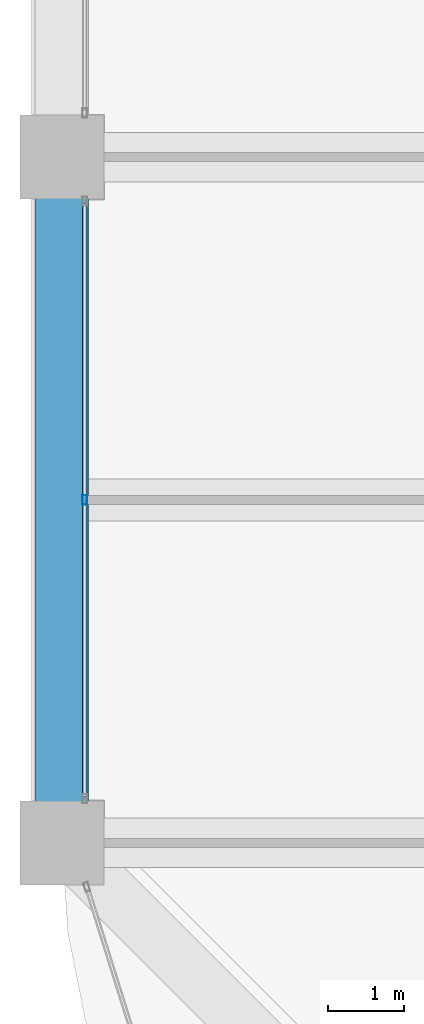
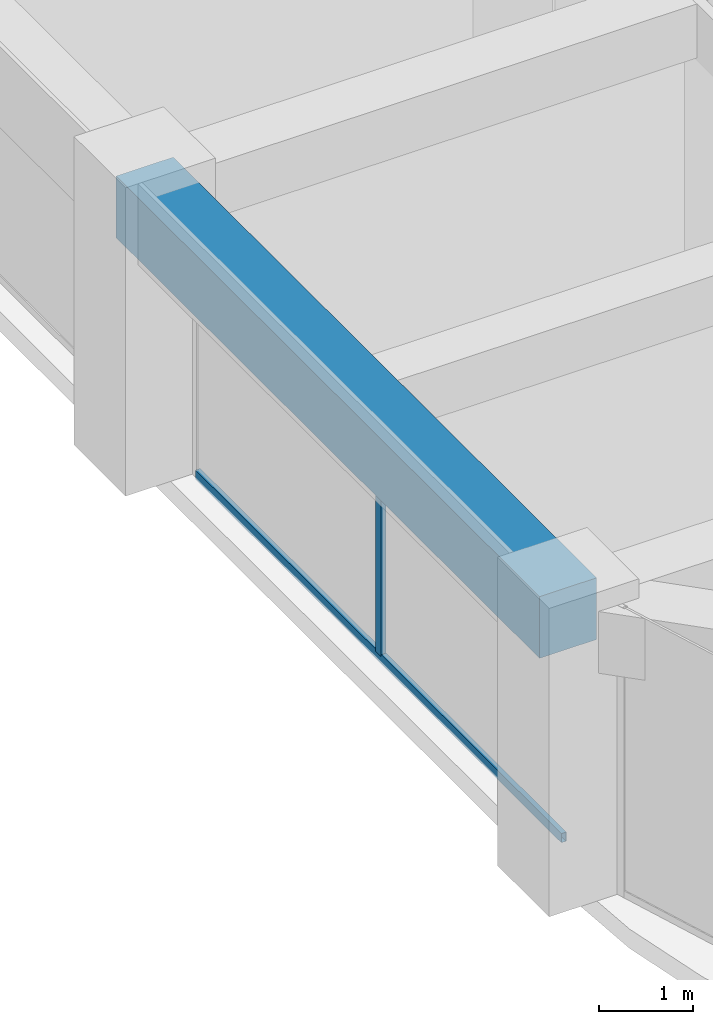
# One storey, part 7 of 44: 2 members, 1 beam, 1 element without a shape of its own.
"""IFC4 building model written with IfcOpenShell, lengths in metres."""

from ifc_helpers import new_model, si_unit, direction, frame, origin, origin_2d, place, context, subcontext, project, spatial, rectangle, hollow_rectangle, extrude, material, material_profile, profile_set, type_object, element, aggregate, save


model = new_model("IFC4")

# Units and contexts
model_context = context("Model", 3, precision=1e-05, world=origin(), true_north=direction((0.0, 1.0)))
body_context = subcontext(model_context, "Body", "Model", "MODEL_VIEW")
ifc_project = project(units=[si_unit("LENGTHUNIT", "METRE"), si_unit("AREAUNIT", "SQUARE_METRE"), si_unit("VOLUMEUNIT", "CUBIC_METRE"), si_unit("PLANEANGLEUNIT", "RADIAN"), si_unit("MASSUNIT", "GRAM", prefix="KILO")], contexts=[model_context])

# Site, building, storey
site_placement = place(None, origin())
site = spatial("IfcSite", under=ifc_project, at=site_placement, CompositionType="ELEMENT")
building_placement = place(site_placement, origin())
building = spatial("IfcBuilding", under=site, at=building_placement, Name="Zorevar Civic Tower", CompositionType="ELEMENT")
storey_placement = place(building_placement, frame((0.0, 0.0, 259.39990234375)))
storey = spatial("IfcBuildingStorey", under=building, at=storey_placement, Name="L63", CompositionType="ELEMENT", Elevation=259.39990234375)

# Curtain wall, members
ifc_material_1 = material(Name="Dark grey solar-control glass in black aluminium frame", Category="aluminium")
curtain_wall_type = type_object("IfcCurtainWallType", Name="Curtain wall CW5 top zone", PredefinedType="NOTDEFINED", material=ifc_material_1)
curtain_wall_placement = place(storey_placement, origin())
curtain_wall = element("IfcCurtainWall", 1, at=curtain_wall_placement, inside=storey, type_object=curtain_wall_type, Name="CW5 L63", PredefinedType="NOTDEFINED")
ifc_material_2 = material(Name="Aluminium, black anodised", Category="aluminium")
ifc_material_profile_1 = material_profile(ifc_material_2, hollow_rectangle(XDim=0.06005859375, YDim=0.1201171875, WallThickness=0.0029296875, at=origin_2d()), Name="AL 120x60x3")
ifc_profile_set_1 = profile_set([ifc_material_profile_1], Name="Aluminium, black anodised")
member_type_1 = type_object("IfcMemberType", Name="CW5 mullion AL 120x60x3", PredefinedType="MULLION", material=ifc_profile_set_1)
member_1_placement = place(storey_placement, frame((9.300048828125, 13.5, 0.06005859375), z_axis=(0.0, 0.0, 1.0), x_axis=(-1.0, 0.0, 0.0)))
member_1 = element("IfcMember", 2, at=member_1_placement, type_object=member_type_1, Name="CW5 mullion 2", PredefinedType="MULLION", context=body_context, shape_type="SweptSolid", body=[
    extrude(hollow_rectangle(XDim=0.06005859375, YDim=0.1201171875, WallThickness=0.0029296875, at=origin_2d()), origin(), (0.0, 0.0, 1.0), 2.89013671875),
])
ifc_material_3 = material(Name="Aluminium, black anodised", Category="aluminium")
ifc_material_profile_2 = material_profile(ifc_material_3, hollow_rectangle(XDim=0.06005859375, YDim=0.1201171875, WallThickness=0.0029296875, at=origin_2d()), Name="AL 120x60x3")
ifc_profile_set_2 = profile_set([ifc_material_profile_2], Name="Aluminium, black anodised")
member_type_2 = type_object("IfcMemberType", Name="CW5 transom AL 120x60x3", PredefinedType="USERDEFINED", material=ifc_profile_set_2)
member_2_placement = place(storey_placement, frame((9.300048828125, 9.610107421875, 0.030029296875), z_axis=(0.0, 1.0, 0.0), x_axis=(-1.0, 0.0, 0.0)))
member_2 = element("IfcMember", 3, at=member_2_placement, type_object=member_type_2, Name="CW5 sill transom", ObjectType="TRANSOM", PredefinedType="USERDEFINED", context=body_context, shape_type="SweptSolid", body=[
    extrude(hollow_rectangle(XDim=0.06005859375, YDim=0.1201171875, WallThickness=0.0029296875, at=origin_2d()), origin(), (0.0, 0.0, 1.0), 7.77978515625),
])
aggregate(curtain_wall, [member_1, member_2])

# Beam
ifc_material_4 = material(Name="Concrete C50/60", Category="concrete")
ifc_material_profile_3 = material_profile(ifc_material_4, rectangle(XDim=0.699951171875, YDim=0.800048828125, at=origin_2d()), Name="RC 700x800")
ifc_profile_set_3 = profile_set([ifc_material_profile_3], Name="Concrete C50/60")
beam_type = type_object("IfcBeamType", Name="Edge beam RC 700x800", PredefinedType="SPANDREL", material=ifc_profile_set_3)
beam_placement = place(storey_placement, frame((9.0, 9.0, 3.35009765625), z_axis=(0.0, 1.0, 0.0), x_axis=(-1.0, 0.0, 0.0)))
element("IfcBeam", 4, at=beam_placement, inside=storey, type_object=beam_type, Name="Edge beam L64", PredefinedType="SPANDREL", context=body_context, shape_type="SweptSolid", body=[
    extrude(rectangle(XDim=0.699951171875, YDim=0.800048828125, at=origin_2d()), origin(), (0.0, 0.0, 1.0), 9.0),
])

save(model, "model.ifc")
